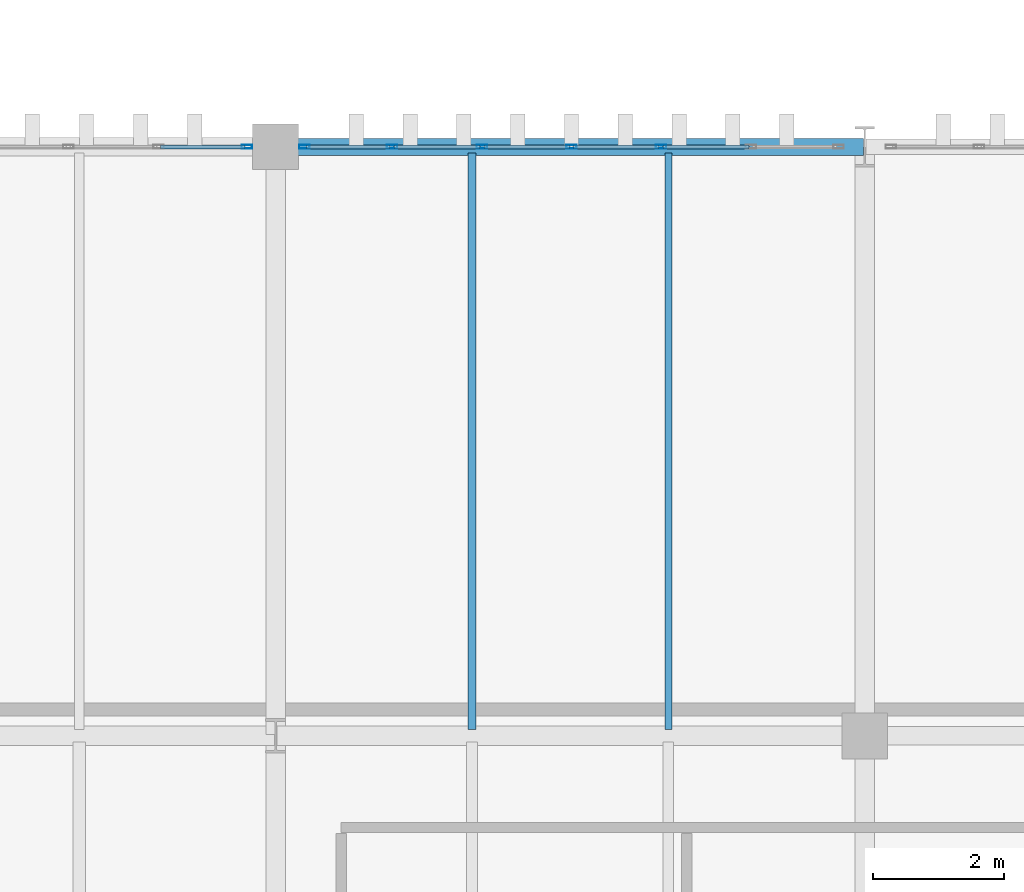
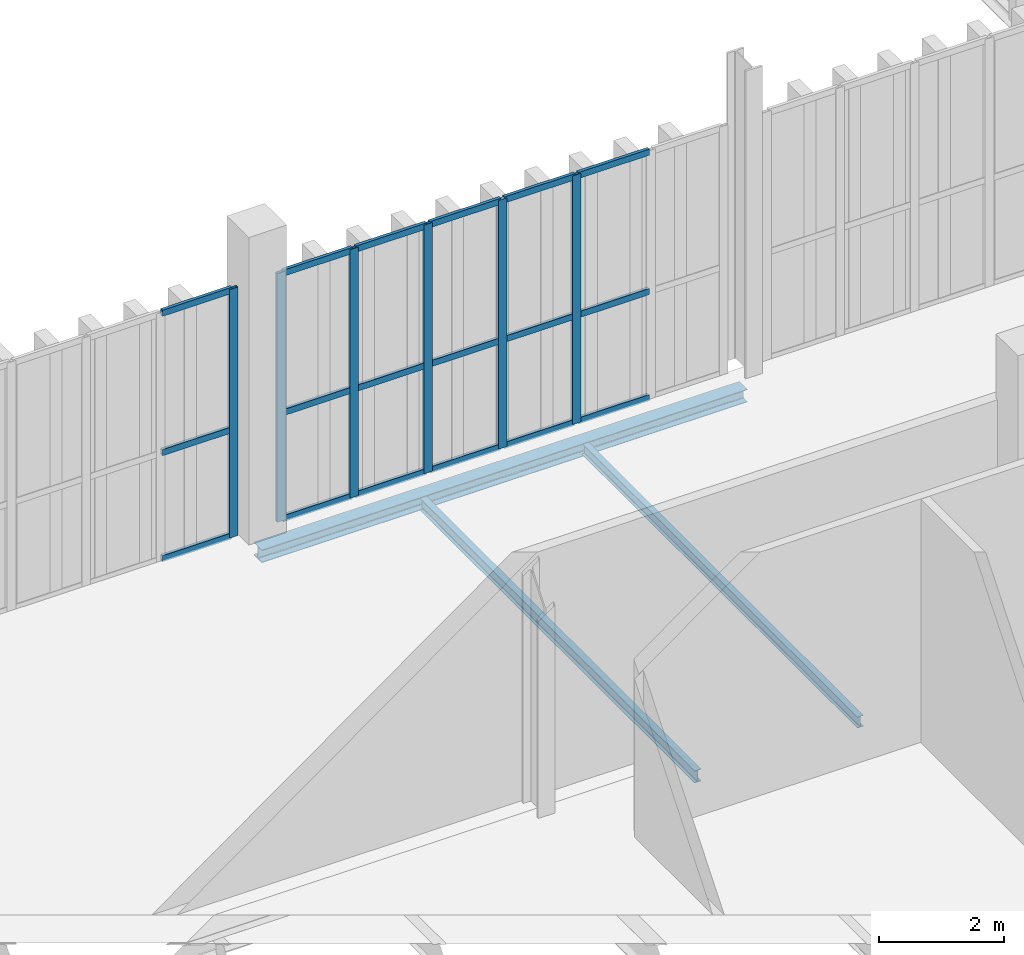
# One storey, part 124 of 237: 24 members, 3 beams, 2 elements without a shape of their own.
"""IFC4 building model written with IfcOpenShell, lengths in metres."""

from ifc_helpers import new_model, si_unit, direction, frame, origin, origin_2d, place, context, subcontext, project, spatial, hollow_rectangle, i_section, extrude, material, layer, layer_set, material_profile, profile_set, type_object, element, aggregate, save


model = new_model("IFC4")

# Units and contexts
model_context = context("Model", 3, precision=1e-05, world=origin(), true_north=direction((0.0, 1.0)))
body_context = subcontext(model_context, "Body", "Model", "MODEL_VIEW")
ifc_project = project(units=[si_unit("LENGTHUNIT", "METRE"), si_unit("AREAUNIT", "SQUARE_METRE"), si_unit("VOLUMEUNIT", "CUBIC_METRE"), si_unit("PLANEANGLEUNIT", "RADIAN"), si_unit("MASSUNIT", "GRAM", prefix="KILO")], contexts=[model_context])

# Site, building, storey
site_placement = place(None, origin())
site = spatial("IfcSite", under=ifc_project, at=site_placement, CompositionType="ELEMENT")
building_placement = place(site_placement, origin())
building = spatial("IfcBuilding", under=site, at=building_placement, Name="Barlavento Convention Centre", CompositionType="ELEMENT")
storey_placement = place(building_placement, frame((0.0, 0.0, 12.0)))
storey = spatial("IfcBuildingStorey", under=building, at=storey_placement, Name="L02", CompositionType="ELEMENT", Elevation=12.0)

# Curtain wall, member
ifc_material_1 = material(Name="Powder-coated aluminium and Low-E glass", Category="aluminium")
ifc_layer = layer(ifc_material_1, 0.195068359375)
ifc_layer_set = layer_set([ifc_layer], Name="ARC-CW-PATIO-A")
curtain_wall_type = type_object("IfcCurtainWallType", Name="ARC-CW-PATIO-A", PredefinedType="NOTDEFINED", material=ifc_layer_set)
curtain_wall_1_placement = place(storey_placement, origin())
curtain_wall_1 = element("IfcCurtainWall", 1, at=curtain_wall_1_placement, inside=storey, type_object=curtain_wall_type, Name="L02 unitised curtain wall CW11", PredefinedType="NOTDEFINED")
ifc_material_2 = material(Name="Powder-coated aluminium", Category="aluminium")
ifc_material_profile_1 = material_profile(ifc_material_2, hollow_rectangle(XDim=0.06005859375, YDim=0.159912109375, WallThickness=0.00390625, at=origin_2d()), Name="AL-MULL 60x160x4")
ifc_profile_set_1 = profile_set([ifc_material_profile_1], Name="Powder-coated aluminium")
member_type_1 = type_object("IfcMemberType", Name="ARC-CWM-60X160", PredefinedType="MULLION", material=ifc_profile_set_1)
member_1_placement = place(storey_placement, frame((152.56005859375, 63.0, 0.0), z_axis=(0.0, 0.0, 1.0), x_axis=(0.0, 1.0, 0.0)))
member_1 = element("IfcMember", 2, at=member_1_placement, type_object=member_type_1, Name="CW11 mullion 7", PredefinedType="MULLION", context=body_context, shape_type="SweptSolid", body=[
    extrude(hollow_rectangle(XDim=0.06005859375, YDim=0.159912109375, WallThickness=0.00390625, at=origin_2d()), origin(), (0.0, 0.0, 1.0), 4.85009765625),
])

# Curtain wall, members
curtain_wall_2_placement = place(storey_placement, origin())
curtain_wall_2 = element("IfcCurtainWall", 3, at=curtain_wall_2_placement, inside=storey, type_object=curtain_wall_type, Name="L02 unitised curtain wall CW11", PredefinedType="NOTDEFINED")
member_2_placement = place(storey_placement, frame((153.43994140625, 63.0, 0.0), z_axis=(0.0, 0.0, 1.0), x_axis=(0.0, 1.0, 0.0)))
member_2 = element("IfcMember", 4, at=member_2_placement, type_object=member_type_1, Name="CW11 mullion 1", PredefinedType="MULLION", context=body_context, shape_type="SweptSolid", body=[
    extrude(hollow_rectangle(XDim=0.06005859375, YDim=0.159912109375, WallThickness=0.00390625, at=origin_2d()), origin(), (0.0, 0.0, 1.0), 4.85009765625),
])
member_3_placement = place(storey_placement, frame((154.780029296875, 63.0, 0.0), z_axis=(0.0, 0.0, 1.0), x_axis=(0.0, 1.0, 0.0)))
member_3 = element("IfcMember", 5, at=member_3_placement, type_object=member_type_1, Name="CW11 mullion 2", PredefinedType="MULLION", context=body_context, shape_type="SweptSolid", body=[
    extrude(hollow_rectangle(XDim=0.06005859375, YDim=0.159912109375, WallThickness=0.00390625, at=origin_2d()), origin(), (0.0, 0.0, 1.0), 4.85009765625),
])
member_4_placement = place(storey_placement, frame((156.14990234375, 63.0, 0.0), z_axis=(0.0, 0.0, 1.0), x_axis=(0.0, 1.0, 0.0)))
member_4 = element("IfcMember", 6, at=member_4_placement, type_object=member_type_1, Name="CW11 mullion 3", PredefinedType="MULLION", context=body_context, shape_type="SweptSolid", body=[
    extrude(hollow_rectangle(XDim=0.06005859375, YDim=0.159912109375, WallThickness=0.00390625, at=origin_2d()), origin(), (0.0, 0.0, 1.0), 4.85009765625),
])
member_5_placement = place(storey_placement, frame((157.52001953125, 63.0, 0.0), z_axis=(0.0, 0.0, 1.0), x_axis=(0.0, 1.0, 0.0)))
member_5 = element("IfcMember", 7, at=member_5_placement, type_object=member_type_1, Name="CW11 mullion 4", PredefinedType="MULLION", context=body_context, shape_type="SweptSolid", body=[
    extrude(hollow_rectangle(XDim=0.06005859375, YDim=0.159912109375, WallThickness=0.00390625, at=origin_2d()), origin(), (0.0, 0.0, 1.0), 4.85009765625),
])
member_6_placement = place(storey_placement, frame((158.889892578125, 63.0, 0.0), z_axis=(0.0, 0.0, 1.0), x_axis=(0.0, 1.0, 0.0)))
member_6 = element("IfcMember", 8, at=member_6_placement, type_object=member_type_1, Name="CW11 mullion 5", PredefinedType="MULLION", context=body_context, shape_type="SweptSolid", body=[
    extrude(hollow_rectangle(XDim=0.06005859375, YDim=0.159912109375, WallThickness=0.00390625, at=origin_2d()), origin(), (0.0, 0.0, 1.0), 4.85009765625),
])

# Member
ifc_material_profile_2 = material_profile(ifc_material_2, hollow_rectangle(XDim=0.06005859375, YDim=0.1201171875, WallThickness=0.00390625, at=origin_2d()), Name="AL-TRAN 60x120x4")
ifc_profile_set_2 = profile_set([ifc_material_profile_2], Name="Powder-coated aluminium")
member_type_2 = type_object("IfcMemberType", Name="ARC-CWT-60X120", PredefinedType="USERDEFINED", material=ifc_profile_set_2)
member_7_placement = place(storey_placement, frame((151.241943359375, 63.0, 0.030029296875), z_axis=(1.0, 0.0, 0.0), x_axis=(0.0, 1.0, 0.0)))
member_7 = element("IfcMember", 9, at=member_7_placement, type_object=member_type_2, Name="CW11 transom 6.1", ObjectType="TRANSOM", PredefinedType="USERDEFINED", context=body_context, shape_type="SweptSolid", body=[
    extrude(hollow_rectangle(XDim=0.06005859375, YDim=0.1201171875, WallThickness=0.00390625, at=origin_2d()), origin(), (0.0, 0.0, 1.0), 1.2880859375),
])

member_8_placement = place(storey_placement, frame((151.241943359375, 63.0, 2.10009765625), z_axis=(1.0, 0.0, 0.0), x_axis=(0.0, 1.0, 0.0)))
member_8 = element("IfcMember", 10, at=member_8_placement, type_object=member_type_2, Name="CW11 transom 6.2", ObjectType="TRANSOM", PredefinedType="USERDEFINED", context=body_context, shape_type="SweptSolid", body=[
    extrude(hollow_rectangle(XDim=0.06005859375, YDim=0.1201171875, WallThickness=0.00390625, at=origin_2d()), origin(), (0.0, 0.0, 1.0), 1.2880859375),
])

member_9_placement = place(storey_placement, frame((151.241943359375, 63.0, 4.820068359375), z_axis=(1.0, 0.0, 0.0), x_axis=(0.0, 1.0, 0.0)))
member_9 = element("IfcMember", 11, at=member_9_placement, type_object=member_type_2, Name="CW11 transom 6.3", ObjectType="TRANSOM", PredefinedType="USERDEFINED", context=body_context, shape_type="SweptSolid", body=[
    extrude(hollow_rectangle(XDim=0.06005859375, YDim=0.1201171875, WallThickness=0.00390625, at=origin_2d()), origin(), (0.0, 0.0, 1.0), 1.2880859375),
])

aggregate(curtain_wall_1, [member_1, member_7, member_8, member_9])

member_10_placement = place(storey_placement, frame((153.469970703125, 63.0, 0.030029296875), z_axis=(1.0, 0.0, 0.0), x_axis=(0.0, 1.0, 0.0)))
member_10 = element("IfcMember", 12, at=member_10_placement, type_object=member_type_2, Name="CW11 transom 1.1", ObjectType="TRANSOM", PredefinedType="USERDEFINED", context=body_context, shape_type="SweptSolid", body=[
    extrude(hollow_rectangle(XDim=0.06005859375, YDim=0.1201171875, WallThickness=0.00390625, at=origin_2d()), origin(), (0.0, 0.0, 1.0), 1.280029296875),
])

member_11_placement = place(storey_placement, frame((153.469970703125, 63.0, 2.10009765625), z_axis=(1.0, 0.0, 0.0), x_axis=(0.0, 1.0, 0.0)))
member_11 = element("IfcMember", 13, at=member_11_placement, type_object=member_type_2, Name="CW11 transom 1.2", ObjectType="TRANSOM", PredefinedType="USERDEFINED", context=body_context, shape_type="SweptSolid", body=[
    extrude(hollow_rectangle(XDim=0.06005859375, YDim=0.1201171875, WallThickness=0.00390625, at=origin_2d()), origin(), (0.0, 0.0, 1.0), 1.280029296875),
])

member_12_placement = place(storey_placement, frame((153.469970703125, 63.0, 4.820068359375), z_axis=(1.0, 0.0, 0.0), x_axis=(0.0, 1.0, 0.0)))
member_12 = element("IfcMember", 14, at=member_12_placement, type_object=member_type_2, Name="CW11 transom 1.3", ObjectType="TRANSOM", PredefinedType="USERDEFINED", context=body_context, shape_type="SweptSolid", body=[
    extrude(hollow_rectangle(XDim=0.06005859375, YDim=0.1201171875, WallThickness=0.00390625, at=origin_2d()), origin(), (0.0, 0.0, 1.0), 1.280029296875),
])

member_13_placement = place(storey_placement, frame((154.81005859375, 63.0, 0.030029296875), z_axis=(1.0, 0.0, 0.0), x_axis=(0.0, 1.0, 0.0)))
member_13 = element("IfcMember", 15, at=member_13_placement, type_object=member_type_2, Name="CW11 transom 2.1", ObjectType="TRANSOM", PredefinedType="USERDEFINED", context=body_context, shape_type="SweptSolid", body=[
    extrude(hollow_rectangle(XDim=0.06005859375, YDim=0.1201171875, WallThickness=0.00390625, at=origin_2d()), origin(), (0.0, 0.0, 1.0), 1.31005859375),
])

member_14_placement = place(storey_placement, frame((154.81005859375, 63.0, 2.10009765625), z_axis=(1.0, 0.0, 0.0), x_axis=(0.0, 1.0, 0.0)))
member_14 = element("IfcMember", 16, at=member_14_placement, type_object=member_type_2, Name="CW11 transom 2.2", ObjectType="TRANSOM", PredefinedType="USERDEFINED", context=body_context, shape_type="SweptSolid", body=[
    extrude(hollow_rectangle(XDim=0.06005859375, YDim=0.1201171875, WallThickness=0.00390625, at=origin_2d()), origin(), (0.0, 0.0, 1.0), 1.31005859375),
])

member_15_placement = place(storey_placement, frame((154.81005859375, 63.0, 4.820068359375), z_axis=(1.0, 0.0, 0.0), x_axis=(0.0, 1.0, 0.0)))
member_15 = element("IfcMember", 17, at=member_15_placement, type_object=member_type_2, Name="CW11 transom 2.3", ObjectType="TRANSOM", PredefinedType="USERDEFINED", context=body_context, shape_type="SweptSolid", body=[
    extrude(hollow_rectangle(XDim=0.06005859375, YDim=0.1201171875, WallThickness=0.00390625, at=origin_2d()), origin(), (0.0, 0.0, 1.0), 1.31005859375),
])

member_16_placement = place(storey_placement, frame((156.179931640625, 63.0, 0.030029296875), z_axis=(1.0, 0.0, 0.0), x_axis=(0.0, 1.0, 0.0)))
member_16 = element("IfcMember", 18, at=member_16_placement, type_object=member_type_2, Name="CW11 transom 3.1", ObjectType="TRANSOM", PredefinedType="USERDEFINED", context=body_context, shape_type="SweptSolid", body=[
    extrude(hollow_rectangle(XDim=0.06005859375, YDim=0.1201171875, WallThickness=0.00390625, at=origin_2d()), origin(), (0.0, 0.0, 1.0), 1.31005859375),
])

member_17_placement = place(storey_placement, frame((156.179931640625, 63.0, 2.10009765625), z_axis=(1.0, 0.0, 0.0), x_axis=(0.0, 1.0, 0.0)))
member_17 = element("IfcMember", 19, at=member_17_placement, type_object=member_type_2, Name="CW11 transom 3.2", ObjectType="TRANSOM", PredefinedType="USERDEFINED", context=body_context, shape_type="SweptSolid", body=[
    extrude(hollow_rectangle(XDim=0.06005859375, YDim=0.1201171875, WallThickness=0.00390625, at=origin_2d()), origin(), (0.0, 0.0, 1.0), 1.31005859375),
])

member_18_placement = place(storey_placement, frame((156.179931640625, 63.0, 4.820068359375), z_axis=(1.0, 0.0, 0.0), x_axis=(0.0, 1.0, 0.0)))
member_18 = element("IfcMember", 20, at=member_18_placement, type_object=member_type_2, Name="CW11 transom 3.3", ObjectType="TRANSOM", PredefinedType="USERDEFINED", context=body_context, shape_type="SweptSolid", body=[
    extrude(hollow_rectangle(XDim=0.06005859375, YDim=0.1201171875, WallThickness=0.00390625, at=origin_2d()), origin(), (0.0, 0.0, 1.0), 1.31005859375),
])

member_19_placement = place(storey_placement, frame((157.550048828125, 63.0, 0.030029296875), z_axis=(1.0, 0.0, 0.0), x_axis=(0.0, 1.0, 0.0)))
member_19 = element("IfcMember", 21, at=member_19_placement, type_object=member_type_2, Name="CW11 transom 4.1", ObjectType="TRANSOM", PredefinedType="USERDEFINED", context=body_context, shape_type="SweptSolid", body=[
    extrude(hollow_rectangle(XDim=0.06005859375, YDim=0.1201171875, WallThickness=0.00390625, at=origin_2d()), origin(), (0.0, 0.0, 1.0), 1.31005859375),
])

member_20_placement = place(storey_placement, frame((157.550048828125, 63.0, 2.10009765625), z_axis=(1.0, 0.0, 0.0), x_axis=(0.0, 1.0, 0.0)))
member_20 = element("IfcMember", 22, at=member_20_placement, type_object=member_type_2, Name="CW11 transom 4.2", ObjectType="TRANSOM", PredefinedType="USERDEFINED", context=body_context, shape_type="SweptSolid", body=[
    extrude(hollow_rectangle(XDim=0.06005859375, YDim=0.1201171875, WallThickness=0.00390625, at=origin_2d()), origin(), (0.0, 0.0, 1.0), 1.31005859375),
])

member_21_placement = place(storey_placement, frame((157.550048828125, 63.0, 4.820068359375), z_axis=(1.0, 0.0, 0.0), x_axis=(0.0, 1.0, 0.0)))
member_21 = element("IfcMember", 23, at=member_21_placement, type_object=member_type_2, Name="CW11 transom 4.3", ObjectType="TRANSOM", PredefinedType="USERDEFINED", context=body_context, shape_type="SweptSolid", body=[
    extrude(hollow_rectangle(XDim=0.06005859375, YDim=0.1201171875, WallThickness=0.00390625, at=origin_2d()), origin(), (0.0, 0.0, 1.0), 1.31005859375),
])

member_22_placement = place(storey_placement, frame((158.919921875, 63.0, 0.030029296875), z_axis=(1.0, 0.0, 0.0), x_axis=(0.0, 1.0, 0.0)))
member_22 = element("IfcMember", 24, at=member_22_placement, type_object=member_type_2, Name="CW11 transom 5.1", ObjectType="TRANSOM", PredefinedType="USERDEFINED", context=body_context, shape_type="SweptSolid", body=[
    extrude(hollow_rectangle(XDim=0.06005859375, YDim=0.1201171875, WallThickness=0.00390625, at=origin_2d()), origin(), (0.0, 0.0, 1.0), 1.31005859375),
])

member_23_placement = place(storey_placement, frame((158.919921875, 63.0, 2.10009765625), z_axis=(1.0, 0.0, 0.0), x_axis=(0.0, 1.0, 0.0)))
member_23 = element("IfcMember", 25, at=member_23_placement, type_object=member_type_2, Name="CW11 transom 5.2", ObjectType="TRANSOM", PredefinedType="USERDEFINED", context=body_context, shape_type="SweptSolid", body=[
    extrude(hollow_rectangle(XDim=0.06005859375, YDim=0.1201171875, WallThickness=0.00390625, at=origin_2d()), origin(), (0.0, 0.0, 1.0), 1.31005859375),
])

member_24_placement = place(storey_placement, frame((158.919921875, 63.0, 4.820068359375), z_axis=(1.0, 0.0, 0.0), x_axis=(0.0, 1.0, 0.0)))
member_24 = element("IfcMember", 26, at=member_24_placement, type_object=member_type_2, Name="CW11 transom 5.3", ObjectType="TRANSOM", PredefinedType="USERDEFINED", context=body_context, shape_type="SweptSolid", body=[
    extrude(hollow_rectangle(XDim=0.06005859375, YDim=0.1201171875, WallThickness=0.00390625, at=origin_2d()), origin(), (0.0, 0.0, 1.0), 1.31005859375),
])

aggregate(curtain_wall_2, [member_2, member_3, member_4, member_5, member_6, member_10, member_11, member_12, member_13, member_14, member_15, member_16, member_17, member_18, member_19, member_20, member_21, member_22, member_23, member_24])

# Beams
ifc_material_3 = material(Name="Steel S355", Category="steel")
ifc_material_profile_3 = material_profile(ifc_material_3, i_section(OverallWidth=0.110107421875, OverallDepth=0.219970703125, WebThickness=0.005859375, FlangeThickness=0.00927734375, FilletRadius=0.011962890625, at=origin_2d()), Name="IPE 220")
ifc_profile_set_3 = profile_set([ifc_material_profile_3], Name="Steel S355")
beam_type_1 = type_object("IfcBeamType", Name="STR-BM-JST-IPE220", PredefinedType="JOIST", material=ifc_profile_set_3)
beam_1_placement = place(storey_placement, frame((159.0, 54.094970703125, -0.47998046875), z_axis=(0.0, 1.0, 0.0), x_axis=(-1.0, 0.0, 0.0)))
element("IfcBeam", 27, at=beam_1_placement, inside=storey, type_object=beam_type_1, Name="L02 composite floor joist SJ10", PredefinedType="JOIST", context=body_context, shape_type="SweptSolid", body=[
    extrude(i_section(OverallWidth=0.110107421875, OverallDepth=0.219970703125, WebThickness=0.005859375, FlangeThickness=0.00927734375, FilletRadius=0.011962890625, at=origin_2d()), origin(), (0.0, 0.0, 1.0), 8.81005859375),
])
ifc_material_profile_4 = material_profile(ifc_material_3, i_section(OverallWidth=0.1201171875, OverallDepth=0.239990234375, WebThickness=0.006103515625, FlangeThickness=0.009765625, FilletRadius=0.014892578125, at=origin_2d()), Name="IPE 240")
ifc_profile_set_4 = profile_set([ifc_material_profile_4], Name="Steel S355")
beam_type_2 = type_object("IfcBeamType", Name="STR-BM-JST-IPE240", PredefinedType="JOIST", material=ifc_profile_set_4)
beam_2_placement = place(storey_placement, frame((156.0, 54.094970703125, -0.489990234375), z_axis=(0.0, 1.0, 0.0), x_axis=(-1.0, 0.0, 0.0)))
element("IfcBeam", 28, at=beam_2_placement, inside=storey, type_object=beam_type_2, Name="L02 composite floor joist SJ09", PredefinedType="JOIST", context=body_context, shape_type="SweptSolid", body=[
    extrude(i_section(OverallWidth=0.1201171875, OverallDepth=0.239990234375, WebThickness=0.006103515625, FlangeThickness=0.009765625, FilletRadius=0.014892578125, at=origin_2d()), origin(), (0.0, 0.0, 1.0), 8.81005859375),
])
ifc_material_profile_5 = material_profile(ifc_material_3, i_section(OverallWidth=0.260009765625, OverallDepth=0.25, WebThickness=0.007568359375, FlangeThickness=0.012451171875, FilletRadius=0.02392578125, at=origin_2d()), Name="HEA 260")
ifc_profile_set_5 = profile_set([ifc_material_profile_5], Name="Steel S355")
beam_type_3 = type_object("IfcBeamType", Name="STR-BM-SPN-HEA260", PredefinedType="SPANDREL", material=ifc_profile_set_5)
beam_3_placement = place(storey_placement, frame((153.02001953125, 63.0, -0.485107421875), z_axis=(1.0, 0.0, 0.0), x_axis=(0.0, 1.0, 0.0)))
element("IfcBeam", 29, at=beam_3_placement, inside=storey, type_object=beam_type_3, Name="L02 primary girder SP04", PredefinedType="SPANDREL", context=body_context, shape_type="SweptSolid", body=[
    extrude(i_section(OverallWidth=0.260009765625, OverallDepth=0.25, WebThickness=0.007568359375, FlangeThickness=0.012451171875, FilletRadius=0.02392578125, at=origin_2d()), origin(), (0.0, 0.0, 1.0), 8.9599609375),
])

save(model, "model.ifc")
